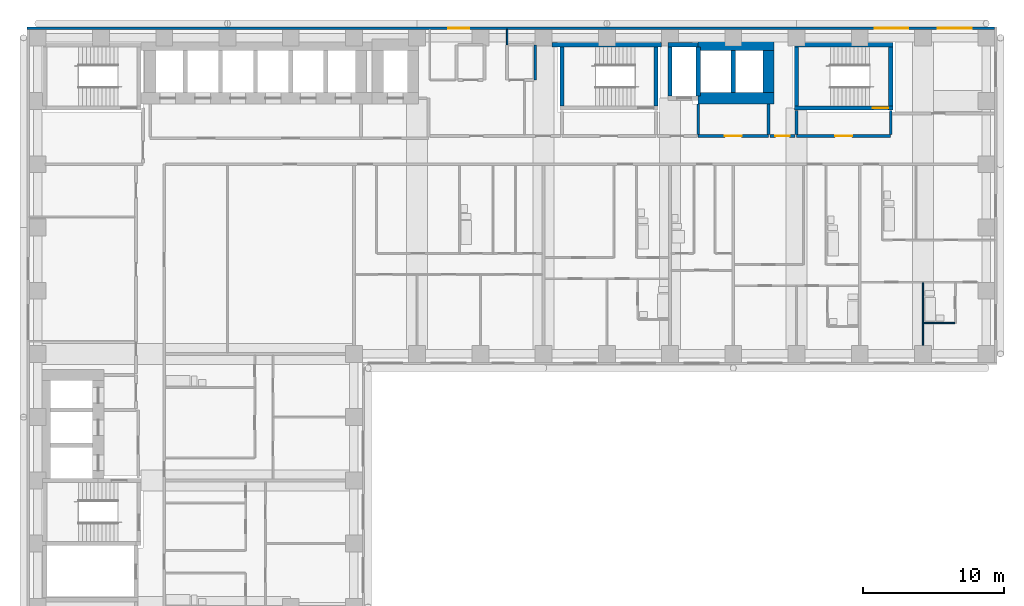
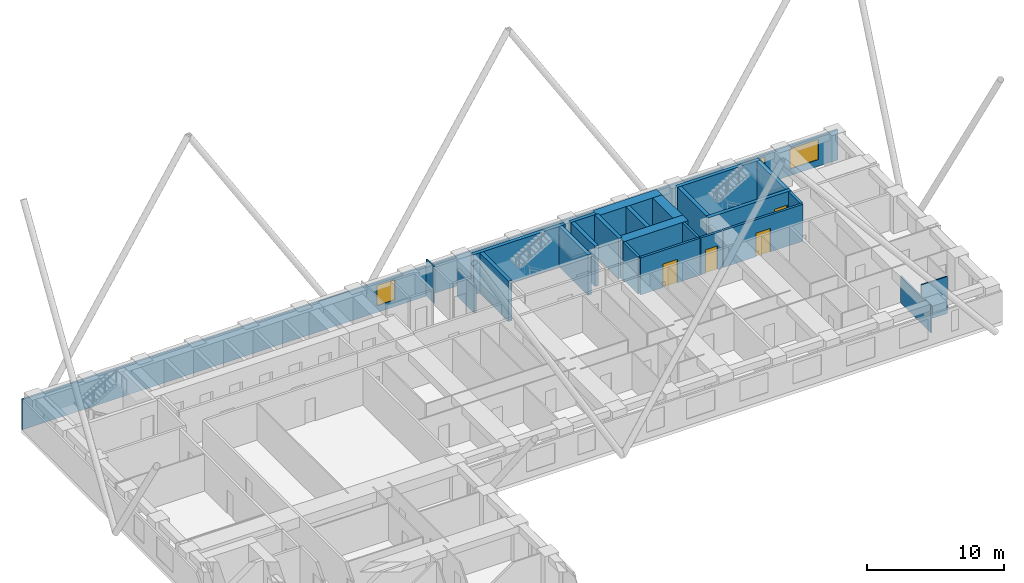
# One storey, part 9 of 13: 26 walls, 4 doors, 3 windows, 7 openings.
"""IFC4 building model written with IfcOpenShell, lengths in metres."""

from ifc_helpers import new_model, si_unit, direction, frame, frame_2d, origin, place, context, subcontext, project, spatial, rectangle, extrude, material, layer, layer_set, type_object, element, fill, save


model = new_model("IFC4")

# Units and contexts
model_context = context("Model", 3, precision=1e-05, world=origin(), true_north=direction((0.0, 1.0)))
body_context = subcontext(model_context, "Body", "Model", "MODEL_VIEW")
ifc_project = project(units=[si_unit("LENGTHUNIT", "METRE"), si_unit("AREAUNIT", "SQUARE_METRE"), si_unit("VOLUMEUNIT", "CUBIC_METRE"), si_unit("PLANEANGLEUNIT", "RADIAN"), si_unit("MASSUNIT", "GRAM", prefix="KILO")], contexts=[model_context])

# Site, building, storey
site_placement = place(None, origin())
site = spatial("IfcSite", under=ifc_project, at=site_placement, CompositionType="ELEMENT")
building_placement = place(site_placement, origin())
building = spatial("IfcBuilding", under=site, at=building_placement, Name="Firuza Court", CompositionType="ELEMENT")
storey_placement = place(building_placement, frame((0.0, 0.0, 72.199951171875)))
storey = spatial("IfcBuildingStorey", under=building, at=storey_placement, Name="L17", CompositionType="ELEMENT", Elevation=72.199951171875)

# Walls
ifc_material_1 = material(Name="Moisture-resistant gypsum board partition")
ifc_layer_1 = layer(ifc_material_1, 0.10009765625)
ifc_layer_set_1 = layer_set([ifc_layer_1], Name="Moisture-resistant gypsum board partition")
wall_type_1 = type_object("IfcWallType", Name="Bathroom partition 100", PredefinedType="PLUMBINGWALL", material=ifc_layer_set_1)
wall_1_placement = place(storey_placement, frame((63.050048828125, 38.199951171875, 0.0), z_axis=(0.0, 0.0, 1.0), x_axis=(1.0, 0.0, 0.0)))
element("IfcWall", 1, at=wall_1_placement, inside=storey, type_object=wall_type_1, Name="Bathroom partition 100 L17", PredefinedType="PLUMBINGWALL", context=body_context, shape_type="SweptSolid", body=[
    extrude(rectangle(XDim=2.199951171875, YDim=0.10009765625, at=frame_2d((1.10009765625, 0.0))), origin(), (0.0, 0.0, 1.0), 3.300048828125),
])
ifc_material_2 = material(Name="Concrete C60/75", Category="concrete")
ifc_layer_2 = layer(ifc_material_2, 0.300048828125)
ifc_layer_set_2 = layer_set([ifc_layer_2], Name="Concrete C60/75")
wall_type_2 = type_object("IfcWallType", Name="Core wall 300 C60/75", PredefinedType="SHEAR", material=ifc_layer_set_2)
wall_2_placement = place(storey_placement, frame((36.60009765625, 58.0, -0.300048828125), z_axis=(0.0, 0.0, 1.0), x_axis=(1.0, 0.0, 0.0)))
element("IfcWall", 2, at=wall_2_placement, inside=storey, type_object=wall_type_2, Name="Core wall stair L17", PredefinedType="SHEAR", context=body_context, shape_type="SweptSolid", body=[
    extrude(rectangle(XDim=7.7998046875, YDim=0.300048828125, at=frame_2d((3.89990234375, 0.0))), origin(), (0.0, 0.0, 1.0), 3.60009765625),
])
for number, where, z_axis, x_axis, name in (
    (3, (37.300048828125, 53.64990234375, -0.300048828125), (0.0, 0.0, 1.0), (0.0, 1.0, 0.0), "Core wall stair L17"),
    (4, (44.0, 53.64990234375, -0.300048828125), (0.0, 0.0, 1.0), (0.0, 1.0, 0.0), "Core wall stair L17"),
):
    element("IfcWall", number, at=place(storey_placement, frame(where, z_axis=z_axis, x_axis=x_axis)), inside=storey, type_object=wall_type_2, Name=name, PredefinedType="SHEAR", context=body_context, shape_type="SweptSolid", body=[
        extrude(rectangle(XDim=4.2001953125, YDim=0.300048828125, at=frame_2d((2.10009765625, 0.0))), origin(), (0.0, 0.0, 1.0), 3.60009765625),
    ])
wall_3_placement = place(storey_placement, frame((44.85009765625, 58.0, -0.300048828125), z_axis=(0.0, 0.0, 1.0), x_axis=(1.0, 0.0, 0.0)))
element("IfcWall", 5, at=wall_3_placement, inside=storey, type_object=wall_type_2, Name="Core wall riser L17", PredefinedType="SHEAR", context=body_context, shape_type="SweptSolid", body=[
    extrude(rectangle(XDim=2.14990234375, YDim=0.300048828125, at=frame_2d((1.074951171875, 0.0))), origin(), (0.0, 0.0, 1.0), 3.60009765625),
])
for number, where, z_axis, x_axis, name in (
    (6, (45.0, 54.35009765625, -0.300048828125), (0.0, 0.0, 1.0), (0.0, 1.0, 0.0), "Core wall riser L17"),
    (7, (47.0, 54.35009765625, -0.300048828125), (0.0, 0.0, 1.0), (0.0, 1.0, 0.0), "Core wall lift shaft L17"),
):
    element("IfcWall", number, at=place(storey_placement, frame(where, z_axis=z_axis, x_axis=x_axis)), inside=storey, type_object=wall_type_2, Name=name, PredefinedType="SHEAR", context=body_context, shape_type="SweptSolid", body=[
        extrude(rectangle(XDim=3.5, YDim=0.300048828125, at=frame_2d((1.75, 0.0))), origin(), (0.0, 0.0, 1.0), 3.60009765625),
    ])
wall_4_placement = place(storey_placement, frame((49.5, 54.60009765625, -0.300048828125), z_axis=(0.0, 0.0, 1.0), x_axis=(0.0, 1.0, 0.0)))
element("IfcWall", 8, at=wall_4_placement, inside=storey, type_object=wall_type_2, Name="Core wall lift shaft L17", PredefinedType="SHEAR", context=body_context, shape_type="SweptSolid", body=[
    extrude(rectangle(XDim=3.0, YDim=0.300048828125, at=frame_2d((1.5, 0.0))), origin(), (0.0, 0.0, 1.0), 3.60009765625),
])

# Wall, opening, door
wall_5_placement = place(storey_placement, frame((53.85009765625, 53.5, -0.300048828125), z_axis=(0.0, 0.0, 1.0), x_axis=(1.0, 0.0, 0.0)))
wall_5 = element("IfcWall", 9, at=wall_5_placement, inside=storey, type_object=wall_type_2, Name="Core wall stair L17", PredefinedType="SHEAR", context=body_context, shape_type="SweptSolid", body=[
    extrude(rectangle(XDim=7.0, YDim=0.300048828125, at=frame_2d((3.5, 0.0))), origin(), (0.0, 0.0, 1.0), 3.60009765625),
])
opening_1_placement = place(wall_5_placement, frame((5.580078125, 0.0, 0.300048828125)))
opening_1 = element("IfcOpeningElement", 10, at=opening_1_placement, cuts=wall_5, Name="Opening D17017", PredefinedType="OPENING", context=body_context, shape_type="SweptSolid", body=[
    extrude(rectangle(XDim=1.10009765625, YDim=2.10009765625, at=frame_2d((0.550048828125, 1.050048828125))), frame((0.0, 0.162109375, 0.0), z_axis=(0.0, -1.0, 0.0), x_axis=(1.0, 0.0, 0.0)), (0.0, 0.0, 1.0), 0.323974609375),
])
ifc_material_3 = material(Name="Timber door leaf in hardwood frame", Category="wood")
door_type_1 = type_object("IfcDoorType", Name="Stair door 1100", OperationType="SINGLE_SWING_LEFT", PredefinedType="DOOR", material=ifc_material_3)
door_1_placement = place(opening_1_placement, origin())
door_1 = element("IfcDoor", 11, at=door_1_placement, inside=storey, type_object=door_type_1, Name="Stair door S4", OperationType="SINGLE_SWING_RIGHT", OverallHeight=2.10009765625, OverallWidth=1.10009765625, PredefinedType="DOOR", context=body_context, shape_type="SweptSolid", body=[
    extrude(rectangle(XDim=1.10009765625, YDim=2.10009765625, at=frame_2d((0.550048828125, 1.050048828125))), frame((0.0, 0.02490234375, 0.0), z_axis=(0.0, -1.0, 0.0), x_axis=(1.0, 0.0, 0.0)), (0.0, 0.0, 1.0), 0.050048828125),
])
fill(opening_1, door_1)

# Walls
wall_6_placement = place(storey_placement, frame((53.85009765625, 58.0, -0.300048828125), z_axis=(0.0, 0.0, 1.0), x_axis=(1.0, 0.0, 0.0)))
element("IfcWall", 12, at=wall_6_placement, inside=storey, type_object=wall_type_2, Name="Core wall stair L17", PredefinedType="SHEAR", context=body_context, shape_type="SweptSolid", body=[
    extrude(rectangle(XDim=7.0, YDim=0.300048828125, at=frame_2d((3.5, 0.0))), origin(), (0.0, 0.0, 1.0), 3.60009765625),
])
for number, where, z_axis, x_axis, name in (
    (13, (54.0, 53.64990234375, -0.300048828125), (0.0, 0.0, 1.0), (0.0, 1.0, 0.0), "Core wall stair L17"),
    (14, (60.699951171875, 53.64990234375, -0.300048828125), (0.0, 0.0, 1.0), (0.0, 1.0, 0.0), "Core wall stair L17"),
):
    element("IfcWall", number, at=place(storey_placement, frame(where, z_axis=z_axis, x_axis=x_axis)), inside=storey, type_object=wall_type_2, Name=name, PredefinedType="SHEAR", context=body_context, shape_type="SweptSolid", body=[
        extrude(rectangle(XDim=4.2001953125, YDim=0.300048828125, at=frame_2d((2.10009765625, 0.0))), origin(), (0.0, 0.0, 1.0), 3.60009765625),
    ])
ifc_layer_3 = layer(ifc_material_2, 0.800048828125)
ifc_layer_set_3 = layer_set([ifc_layer_3], Name="Concrete C60/75")
wall_type_3 = type_object("IfcWallType", Name="Core wall 800 C60/75", PredefinedType="SHEAR", material=ifc_layer_set_3)
for number, where, z_axis, x_axis, name in (
    (15, (47.0, 54.199951171875, -0.300048828125), (0.0, 0.0, 1.0), (1.0, 0.0, 0.0), "Core wall lift shaft L17"),
    (16, (47.0, 58.0, -0.300048828125), (0.0, 0.0, 1.0), (1.0, 0.0, 0.0), "Core wall lift shaft L17"),
):
    element("IfcWall", number, at=place(storey_placement, frame(where, z_axis=z_axis, x_axis=x_axis)), inside=storey, type_object=wall_type_3, Name=name, PredefinedType="SHEAR", context=body_context, shape_type="SweptSolid", body=[
        extrude(rectangle(XDim=5.39990234375, YDim=0.800048828125, at=frame_2d((2.699951171875, 0.0))), origin(), (0.0, 0.0, 1.0), 3.60009765625),
    ])
wall_7_placement = place(storey_placement, frame((52.0, 54.60009765625, -0.300048828125), z_axis=(0.0, 0.0, 1.0), x_axis=(0.0, 1.0, 0.0)))
element("IfcWall", 17, at=wall_7_placement, inside=storey, type_object=wall_type_3, Name="Core wall lift shaft L17", PredefinedType="SHEAR", context=body_context, shape_type="SweptSolid", body=[
    extrude(rectangle(XDim=3.0, YDim=0.800048828125, at=frame_2d((1.5, 0.0))), origin(), (0.0, 0.0, 1.0), 3.60009765625),
])

# Wall, opening, door
ifc_material_4 = material(Name="Blockwork, plastered both sides", Category="masonry")
ifc_layer_4 = layer(ifc_material_4, 0.199951171875)
ifc_layer_set_4 = layer_set([ifc_layer_4], Name="Blockwork, plastered both sides")
wall_type_4 = type_object("IfcWallType", Name="Corridor wall 200", PredefinedType="PARTITIONING", material=ifc_layer_set_4)
wall_8_placement = place(storey_placement, frame((52.10009765625, 51.5, 0.0), z_axis=(0.0, 0.0, 1.0), x_axis=(1.0, 0.0, 0.0)))
wall_8 = element("IfcWall", 18, at=wall_8_placement, inside=storey, type_object=wall_type_4, Name="Corridor wall 200 L17", PredefinedType="PARTITIONING", context=body_context, shape_type="SweptSolid", body=[
    extrude(rectangle(XDim=1.7998046875, YDim=0.199951171875, at=frame_2d((0.89990234375, 0.0))), origin(), (0.0, 0.0, 1.0), 3.300048828125),
])
opening_2_placement = place(wall_8_placement, frame((0.39990234375, 0.0, 0.0)))
opening_2 = element("IfcOpeningElement", 19, at=opening_2_placement, cuts=wall_8, Name="Opening D17078", PredefinedType="OPENING", context=body_context, shape_type="SweptSolid", body=[
    extrude(rectangle(XDim=1.0, YDim=2.10009765625, at=frame_2d((0.5, 1.050048828125))), frame((0.0, 0.11181640625, 0.0), z_axis=(0.0, -1.0, 0.0), x_axis=(1.0, 0.0, 0.0)), (0.0, 0.0, 1.0), 0.223876953125),
])
ifc_material_5 = material(Name="Timber door leaf in hardwood frame", Category="wood")
door_type_2 = type_object("IfcDoorType", Name="Store door 1000", OperationType="SINGLE_SWING_LEFT", PredefinedType="DOOR", material=ifc_material_5)
door_2_placement = place(opening_2_placement, origin())
door_2 = element("IfcDoor", 20, at=door_2_placement, inside=storey, type_object=door_type_2, Name="Cleaner's store door", OperationType="SINGLE_SWING_LEFT", OverallHeight=2.10009765625, OverallWidth=1.0, PredefinedType="DOOR", context=body_context, shape_type="SweptSolid", body=[
    extrude(rectangle(XDim=1.0, YDim=2.10009765625, at=frame_2d((0.5, 1.050048828125))), frame((0.0, 0.02490234375, 0.0), z_axis=(0.0, -1.0, 0.0), x_axis=(1.0, 0.0, 0.0)), (0.0, 0.0, 1.0), 0.050048828125),
])
fill(opening_2, door_2)

# Walls
ifc_material_6 = material(Name="Timber stud partition, plasterboard both sides", Category="wood")
ifc_layer_5 = layer(ifc_material_6, 0.10009765625)
ifc_layer_set_5 = layer_set([ifc_layer_5], Name="Timber stud partition, plasterboard both sides")
wall_type_5 = type_object("IfcWallType", Name="Partition wall 100", PredefinedType="PARTITIONING", material=ifc_layer_set_5)
wall_9_placement = place(storey_placement, frame((63.0, 36.60009765625, 0.0), z_axis=(0.0, 0.0, 1.0), x_axis=(0.0, 1.0, 0.0)))
element("IfcWall", 21, at=wall_9_placement, inside=storey, type_object=wall_type_5, Name="Partition wall 100 L17", PredefinedType="PARTITIONING", context=body_context, shape_type="SweptSolid", body=[
    extrude(rectangle(XDim=4.449951171875, YDim=0.10009765625, at=frame_2d((2.22509765625, 0.0))), origin(), (0.0, 0.0, 1.0), 2.400146484375),
])
wall_10_placement = place(storey_placement, frame((33.39990234375, 58.0, 0.0), z_axis=(0.0, 0.0, 1.0), x_axis=(0.0, 1.0, 0.0)))
element("IfcWall", 22, at=wall_10_placement, inside=storey, type_object=wall_type_5, Name="Partition wall 100 L17", PredefinedType="PARTITIONING", context=body_context, shape_type="SweptSolid", body=[
    extrude(rectangle(XDim=1.10009765625, YDim=0.10009765625, at=frame_2d((0.550048828125, 0.0))), origin(), (0.0, 0.0, 1.0), 3.300048828125),
])
ifc_material_7 = material(Name="Blockwork, fire-rated", Category="masonry")
ifc_layer_6 = layer(ifc_material_7, 0.199951171875)
ifc_layer_set_6 = layer_set([ifc_layer_6], Name="Blockwork, fire-rated")
wall_type_6 = type_object("IfcWallType", Name="Plant room wall 200", PredefinedType="PARTITIONING", material=ifc_layer_set_6)
wall_11_placement = place(storey_placement, frame((35.39990234375, 55.5, 0.0), z_axis=(0.0, 0.0, 1.0), x_axis=(0.0, 1.0, 0.0)))
element("IfcWall", 23, at=wall_11_placement, inside=storey, type_object=wall_type_6, Name="Plant room wall 200 L17", PredefinedType="PARTITIONING", context=body_context, shape_type="SweptSolid", body=[
    extrude(rectangle(XDim=2.5, YDim=0.199951171875, at=frame_2d((1.25, 0.0))), origin(), (0.0, 0.0, 1.0), 2.400146484375),
])

# Wall, openings, windows
ifc_material_8 = material(Name="Ceramic tile", Category="ceramic")
ifc_layer_7 = layer(ifc_material_8, 0.02001953125)
ifc_material_9 = material(Name="Mineral wool insulation", Category="insulation")
ifc_layer_8 = layer(ifc_material_9, 0.050048828125)
ifc_material_10 = material(Name="Concrete C40/50 precast", Category="concrete")
ifc_layer_9 = layer(ifc_material_10, 0.080078125)
ifc_layer_set_7 = layer_set([ifc_layer_7, ifc_layer_8, ifc_layer_9], Name="Concrete C40/50 precast")
wall_type_7 = type_object("IfcWallType", Name="Precast cladding wall with turquoise TILE PANEL face 150", PredefinedType="STANDARD", material=ifc_layer_set_7)
wall_12_placement = place(storey_placement, frame((68.10009765625, 59.175048828125, 0.0), z_axis=(0.0, 0.0, 1.0), x_axis=(-1.0, 0.0, 0.0)))
wall_12 = element("IfcWall", 24, at=wall_12_placement, inside=storey, type_object=wall_type_7, Name="Facade wall L17 N", PredefinedType="STANDARD", context=body_context, shape_type="SweptSolid", body=[
    extrude(rectangle(XDim=68.85009765625, YDim=0.14990234375, at=frame_2d((34.425048828125, 0.0))), origin(), (0.0, 0.0, 1.0), 2.699951171875),
])
opening_3_placement = place(wall_12_placement, frame((1.64990234375, 0.0, 0.60009765625)))
opening_3 = element("IfcOpeningElement", 25, at=opening_3_placement, cuts=wall_12, Name="Opening W1", PredefinedType="OPENING", context=body_context, shape_type="SweptSolid", body=[
    extrude(rectangle(XDim=2.39990234375, YDim=1.800048828125, at=frame_2d((1.199951171875, 0.89990234375))), frame((0.0, 0.0869140625, 0.0), z_axis=(0.0, -1.0, 0.0), x_axis=(1.0, 0.0, 0.0)), (0.0, 0.0, 1.0), 0.173828125),
])
opening_4_placement = place(wall_12_placement, frame((6.14990234375, 0.0, 0.60009765625)))
opening_4 = element("IfcOpeningElement", 26, at=opening_4_placement, cuts=wall_12, Name="Opening W1", PredefinedType="OPENING", context=body_context, shape_type="SweptSolid", body=[
    extrude(rectangle(XDim=2.39990234375, YDim=1.800048828125, at=frame_2d((1.199951171875, 0.89990234375))), frame((0.0, 0.0869140625, 0.0), z_axis=(0.0, -1.0, 0.0), x_axis=(1.0, 0.0, 0.0)), (0.0, 0.0, 1.0), 0.173828125),
])
opening_5_placement = place(wall_12_placement, frame((37.4033203125, 0.0, 0.60009765625)))
opening_5 = element("IfcOpeningElement", 27, at=opening_5_placement, cuts=wall_12, Name="Opening W2", PredefinedType="OPENING", context=body_context, shape_type="SweptSolid", body=[
    extrude(rectangle(XDim=1.5, YDim=1.800048828125, at=frame_2d((0.75, 0.89990234375))), frame((0.0, 0.0869140625, 0.0), z_axis=(0.0, -1.0, 0.0), x_axis=(1.0, 0.0, 0.0)), (0.0, 0.0, 1.0), 0.173828125),
])
ifc_material_11 = material(Name="Aluminium frame, triple clear glazing", Category="aluminium")
window_type_1 = type_object("IfcWindowType", Name="Window W1 2400 x 1800", PartitioningType="SINGLE_PANEL", PredefinedType="WINDOW", material=ifc_material_11)
window_1_placement = place(opening_3_placement, origin())
window_1 = element("IfcWindow", 28, at=window_1_placement, inside=storey, type_object=window_type_1, Name="Window L17", OverallHeight=1.800048828125, OverallWidth=2.39990234375, PartitioningType="SINGLE_PANEL", PredefinedType="WINDOW", context=body_context, shape_type="SweptSolid", body=[
    extrude(rectangle(XDim=2.39990234375, YDim=1.800048828125, at=frame_2d((1.199951171875, 0.89990234375))), frame((0.0, 0.030029296875, 0.0), z_axis=(0.0, -1.0, 0.0), x_axis=(1.0, 0.0, 0.0)), (0.0, 0.0, 1.0), 0.06005859375),
])
fill(opening_3, window_1)
window_2_placement = place(opening_4_placement, origin())
window_2 = element("IfcWindow", 29, at=window_2_placement, inside=storey, type_object=window_type_1, Name="Window L17", OverallHeight=1.800048828125, OverallWidth=2.39990234375, PartitioningType="SINGLE_PANEL", PredefinedType="WINDOW", context=body_context, shape_type="SweptSolid", body=[
    extrude(rectangle(XDim=2.39990234375, YDim=1.800048828125, at=frame_2d((1.199951171875, 0.89990234375))), frame((0.0, 0.030029296875, 0.0), z_axis=(0.0, -1.0, 0.0), x_axis=(1.0, 0.0, 0.0)), (0.0, 0.0, 1.0), 0.06005859375),
])
fill(opening_4, window_2)
ifc_material_12 = material(Name="Aluminium frame, triple clear glazing", Category="aluminium")
window_type_2 = type_object("IfcWindowType", Name="Window W2 1500 x 1800", PartitioningType="SINGLE_PANEL", PredefinedType="WINDOW", material=ifc_material_12)
window_3_placement = place(opening_5_placement, origin())
window_3 = element("IfcWindow", 30, at=window_3_placement, inside=storey, type_object=window_type_2, Name="Window L17", OverallHeight=1.800048828125, OverallWidth=1.5, PartitioningType="SINGLE_PANEL", PredefinedType="WINDOW", context=body_context, shape_type="SweptSolid", body=[
    extrude(rectangle(XDim=1.5, YDim=1.800048828125, at=frame_2d((0.75, 0.89990234375))), frame((0.0, 0.030029296875, 0.0), z_axis=(0.0, -1.0, 0.0), x_axis=(1.0, 0.0, 0.0)), (0.0, 0.0, 1.0), 0.06005859375),
])
fill(opening_5, window_3)

# Wall, opening, door
ifc_layer_10 = layer(ifc_material_7, 0.199951171875)
ifc_layer_set_8 = layer_set([ifc_layer_10], Name="Blockwork, fire-rated")
wall_type_8 = type_object("IfcWallType", Name="Shaft wall 200", PredefinedType="PARTITIONING", material=ifc_layer_set_8)
wall_13_placement = place(storey_placement, frame((47.0, 51.5, 0.0), z_axis=(0.0, 0.0, 1.0), x_axis=(1.0, 0.0, 0.0)))
wall_13 = element("IfcWall", 31, at=wall_13_placement, inside=storey, type_object=wall_type_8, Name="Shaft wall 200 L17", PredefinedType="PARTITIONING", context=body_context, shape_type="SweptSolid", body=[
    extrude(rectangle(XDim=5.0, YDim=0.199951171875, at=frame_2d((2.5, 0.0))), origin(), (0.0, 0.0, 1.0), 3.300048828125),
])
opening_6_placement = place(wall_13_placement, frame((1.89990234375, 0.0, 0.0)))
opening_6 = element("IfcOpeningElement", 32, at=opening_6_placement, cuts=wall_13, Name="Opening D17009", PredefinedType="OPENING", context=body_context, shape_type="SweptSolid", body=[
    extrude(rectangle(XDim=1.199951171875, YDim=2.10009765625, at=frame_2d((0.60009765625, 1.050048828125))), frame((0.0, 0.11181640625, 0.0), z_axis=(0.0, -1.0, 0.0), x_axis=(1.0, 0.0, 0.0)), (0.0, 0.0, 1.0), 0.223876953125),
])
ifc_material_13 = material(Name="Timber door leaf in hardwood frame", Category="wood")
door_type_3 = type_object("IfcDoorType", Name="Lobby door 1200", OperationType="SINGLE_SWING_LEFT", PredefinedType="DOOR", material=ifc_material_13)
door_3_placement = place(opening_6_placement, origin())
door_3 = element("IfcDoor", 33, at=door_3_placement, inside=storey, type_object=door_type_3, Name="Lobby door", OperationType="SINGLE_SWING_LEFT", OverallHeight=2.10009765625, OverallWidth=1.199951171875, PredefinedType="DOOR", context=body_context, shape_type="SweptSolid", body=[
    extrude(rectangle(XDim=1.199951171875, YDim=2.10009765625, at=frame_2d((0.60009765625, 1.050048828125))), frame((0.0, 0.02490234375, 0.0), z_axis=(0.0, -1.0, 0.0), x_axis=(1.0, 0.0, 0.0)), (0.0, 0.0, 1.0), 0.050048828125),
])
fill(opening_6, door_3)

# Walls
for number, where, z_axis, x_axis, name in (
    (34, (52.0, 51.60009765625, 0.0), (0.0, 0.0, 1.0), (0.0, 1.0, 0.0), "Shaft wall 200 L17"),
    (35, (47.0, 51.60009765625, 0.0), (0.0, 0.0, 1.0), (0.0, 1.0, 0.0), "Shaft wall 200 L17"),
):
    element("IfcWall", number, at=place(storey_placement, frame(where, z_axis=z_axis, x_axis=x_axis)), inside=storey, type_object=wall_type_8, Name=name, PredefinedType="PARTITIONING", context=body_context, shape_type="SweptSolid", body=[
        extrude(rectangle(XDim=2.179931640625, YDim=0.199951171875, at=frame_2d((1.08984375, 0.0))), origin(), (0.0, 0.0, 1.0), 3.300048828125),
    ])

# Wall, opening, door
wall_14_placement = place(storey_placement, frame((54.0, 51.5, 0.0), z_axis=(0.0, 0.0, 1.0), x_axis=(1.0, 0.0, 0.0)))
wall_14 = element("IfcWall", 36, at=wall_14_placement, inside=storey, type_object=wall_type_8, Name="Shaft wall 200 L17", PredefinedType="PARTITIONING", context=body_context, shape_type="SweptSolid", body=[
    extrude(rectangle(XDim=6.699951171875, YDim=0.199951171875, at=frame_2d((3.35009765625, 0.0))), origin(), (0.0, 0.0, 1.0), 3.300048828125),
])
opening_7_placement = place(wall_14_placement, frame((2.75, 0.0, 0.0)))
opening_7 = element("IfcOpeningElement", 37, at=opening_7_placement, cuts=wall_14, Name="Opening D17007", PredefinedType="OPENING", context=body_context, shape_type="SweptSolid", body=[
    extrude(rectangle(XDim=1.199951171875, YDim=2.10009765625, at=frame_2d((0.60009765625, 1.050048828125))), frame((0.0, 0.11181640625, 0.0), z_axis=(0.0, -1.0, 0.0), x_axis=(1.0, 0.0, 0.0)), (0.0, 0.0, 1.0), 0.223876953125),
])
door_4_placement = place(opening_7_placement, origin())
door_4 = element("IfcDoor", 38, at=door_4_placement, inside=storey, type_object=door_type_3, Name="Lobby door", OperationType="SINGLE_SWING_LEFT", OverallHeight=2.10009765625, OverallWidth=1.199951171875, PredefinedType="DOOR", context=body_context, shape_type="SweptSolid", body=[
    extrude(rectangle(XDim=1.199951171875, YDim=2.10009765625, at=frame_2d((0.60009765625, 1.050048828125))), frame((0.0, 0.02490234375, 0.0), z_axis=(0.0, -1.0, 0.0), x_axis=(1.0, 0.0, 0.0)), (0.0, 0.0, 1.0), 0.050048828125),
])
fill(opening_7, door_4)

# Walls
wall_15_placement = place(storey_placement, frame((60.699951171875, 51.60009765625, 0.0), z_axis=(0.0, 0.0, 1.0), x_axis=(0.0, 1.0, 0.0)))
element("IfcWall", 39, at=wall_15_placement, inside=storey, type_object=wall_type_8, Name="Shaft wall 200 L17", PredefinedType="PARTITIONING", context=body_context, shape_type="SweptSolid", body=[
    extrude(rectangle(XDim=1.72998046875, YDim=0.199951171875, at=frame_2d((0.864990234375, 0.0))), origin(), (0.0, 0.0, 1.0), 3.300048828125),
])
wall_16_placement = place(storey_placement, frame((54.0, 51.60009765625, 0.0), z_axis=(0.0, 0.0, 1.0), x_axis=(0.0, 1.0, 0.0)))
element("IfcWall", 40, at=wall_16_placement, inside=storey, type_object=wall_type_8, Name="Shaft wall 200 L17", PredefinedType="PARTITIONING", context=body_context, shape_type="SweptSolid", body=[
    extrude(rectangle(XDim=1.72998046875, YDim=0.199951171875, at=frame_2d((0.864990234375, 0.0))), origin(), (0.0, 0.0, 1.0), 2.60009765625),
])

save(model, "model.ifc")
